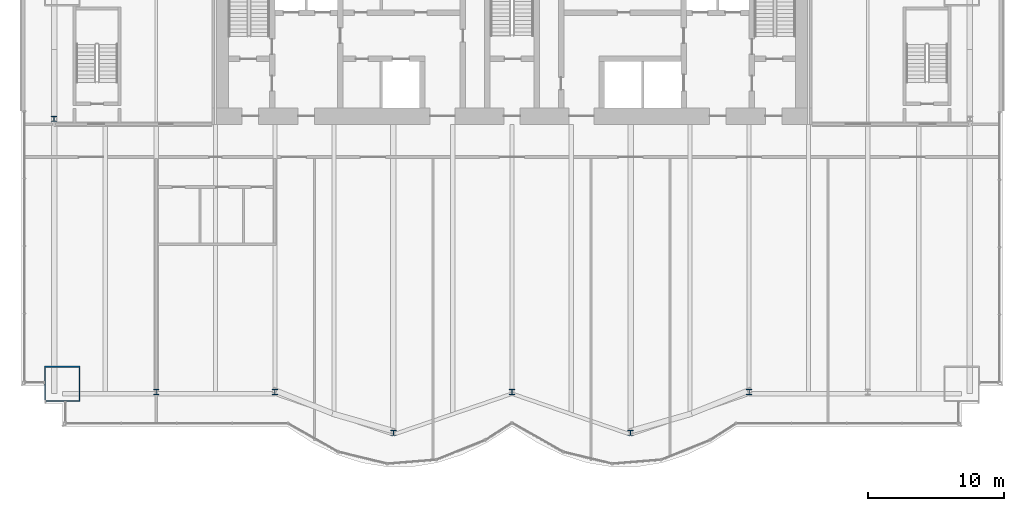
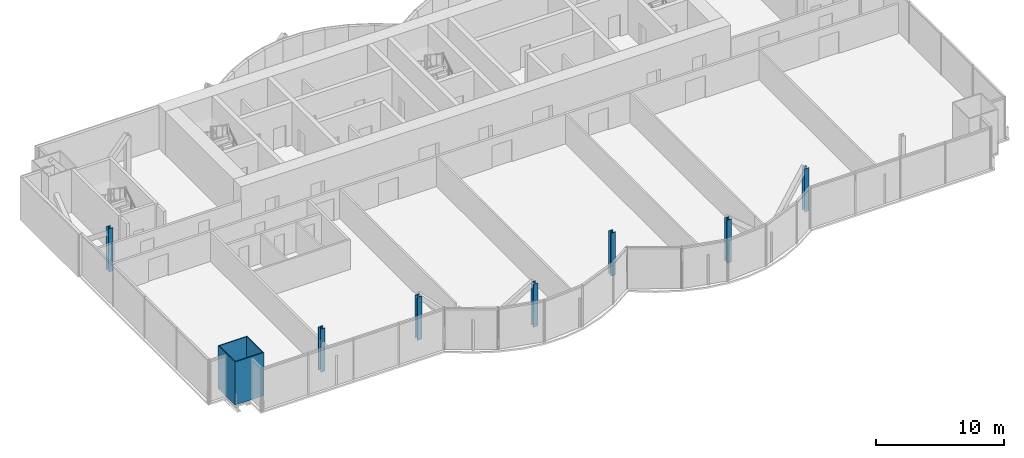
# One storey, part 1 of 21: 8 columns.
"""IFC4 building model written with IfcOpenShell, lengths in metres."""

from ifc_helpers import new_model, si_unit, direction, frame, origin, origin_2d, place, context, subcontext, project, spatial, hollow_rectangle, i_section, extrude, material, material_profile, profile_set, type_object, element, save


model = new_model("IFC4")

# Units and contexts
model_context = context("Model", 3, precision=1e-05, world=origin(), true_north=direction((0.0, 1.0)))
body_context = subcontext(model_context, "Body", "Model", "MODEL_VIEW")
ifc_project = project(units=[si_unit("LENGTHUNIT", "METRE"), si_unit("AREAUNIT", "SQUARE_METRE"), si_unit("VOLUMEUNIT", "CUBIC_METRE"), si_unit("PLANEANGLEUNIT", "RADIAN"), si_unit("MASSUNIT", "GRAM", prefix="KILO")], contexts=[model_context])

# Site, building, storey
site_placement = place(None, origin())
site = spatial("IfcSite", under=ifc_project, at=site_placement, CompositionType="ELEMENT")
building_placement = place(site_placement, origin())
building = spatial("IfcBuilding", under=site, at=building_placement, Name="Bicima Exchange Tower", CompositionType="ELEMENT")
storey_placement = place(building_placement, frame((0.0, 0.0, 156.800048828125)))
storey = spatial("IfcBuildingStorey", under=building, at=storey_placement, Name="L34", CompositionType="ELEMENT", Elevation=156.800048828125)

# Columns
ifc_material_1 = material(Name="Steel ASTM A572 Gr 50", Category="steel")
ifc_material_profile_1 = material_profile(ifc_material_1, hollow_rectangle(XDim=2.60009765625, YDim=2.60009765625, WallThickness=0.080078125, at=origin_2d()))
ifc_profile_set_1 = profile_set([ifc_material_profile_1], Name="Steel ASTM A572 Gr 50")
column_type_1 = type_object("IfcColumnType", Name="Mega column BOX 2600x2600x80", PredefinedType="COLUMN", material=ifc_profile_set_1)
column_placement = place(storey_placement, frame((-33.0, -32.0458984375, 0.0), z_axis=(0.0, 0.0, 1.0), x_axis=(1.0, 0.0, 0.0)))
element("IfcColumn", 1, at=column_placement, inside=storey, type_object=column_type_1, Name="Mega column mega-33.0f", PredefinedType="COLUMN", context=body_context, shape_type="SweptSolid", body=[
    extrude(hollow_rectangle(XDim=2.60009765625, YDim=2.60009765625, WallThickness=0.080078125, at=origin_2d()), origin(), (0.0, 0.0, 1.0), 4.099853515625),
])
ifc_material_2 = material(Name="Steel ASTM A992 Gr 50", Category="steel")
ifc_material_profile_2 = material_profile(ifc_material_2, i_section(OverallWidth=0.396240234375, OverallDepth=0.381103515625, WebThickness=0.01904296875, FlangeThickness=0.0302734375, at=origin_2d()))
ifc_profile_set_2 = profile_set([ifc_material_profile_2], Name="Steel ASTM A992 Gr 50")
column_type_2 = type_object("IfcColumnType", Name="Perimeter column W14x159", PredefinedType="COLUMN", material=ifc_profile_set_2)
for number, where, z_axis, x_axis, name in (
    (2, (-26.10009765625, -32.64599609375, 0.0), (0.0, 0.0, 1.0), (1.0, 0.0, 0.0), "Perimeter column grav-26.1f"),
    (3, (-17.39990234375, -32.64599609375, 0.0), (0.0, 0.0, 1.0), (1.0, 0.0, 0.0), "Perimeter column grav-17.4f"),
    (4, (-8.699951171875, -35.63720703125, 0.0), (0.0, 0.0, 1.0), (1.0, 0.0, 0.0), "Perimeter column grav-8.7f"),
    (5, (0.0, -32.64599609375, 0.0), (0.0, 0.0, 1.0), (1.0, 0.0, 0.0), "Perimeter column grav-0.0f"),
    (6, (8.699951171875, -35.63720703125, 0.0), (0.0, 0.0, 1.0), (1.0, 0.0, 0.0), "Perimeter column grav+8.7f"),
    (7, (17.39990234375, -32.64599609375, 0.0), (0.0, 0.0, 1.0), (1.0, 0.0, 0.0), "Perimeter column grav+17.4f"),
    (8, (-33.60009765625, -12.60009765625, 0.0), (0.0, 0.0, 1.0), (1.0, 0.0, 0.0), "End column end-33.6e"),
):
    element("IfcColumn", number, at=place(storey_placement, frame(where, z_axis=z_axis, x_axis=x_axis)), inside=storey, type_object=column_type_2, Name=name, PredefinedType="COLUMN", context=body_context, shape_type="SweptSolid", body=[
        extrude(i_section(OverallWidth=0.396240234375, OverallDepth=0.381103515625, WebThickness=0.01904296875, FlangeThickness=0.0302734375, at=origin_2d()), origin(), (0.0, 0.0, 1.0), 4.099853515625),
    ])

save(model, "model.ifc")
